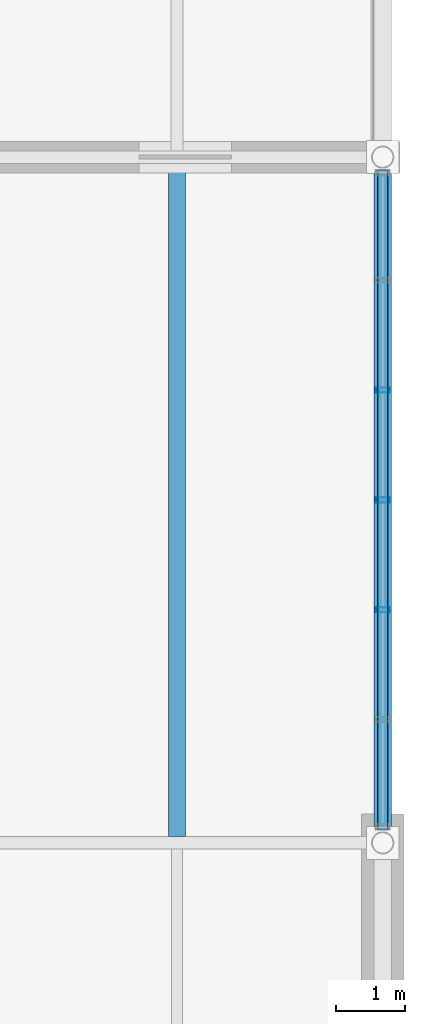
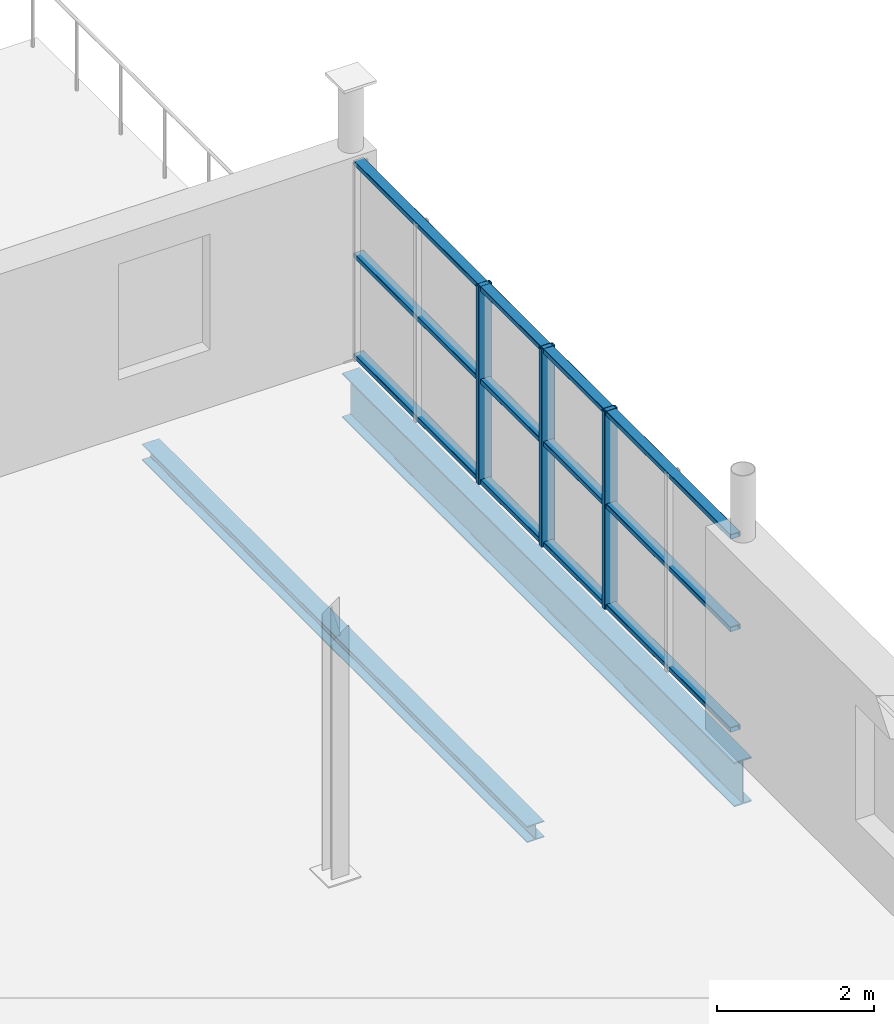
# One storey, part 19 of 30: 6 members, 2 beams, 1 element without a shape of its own.
"""IFC4 building model written with IfcOpenShell, lengths in metres."""

from ifc_helpers import new_model, si_unit, direction, frame, origin, origin_2d, place, context, subcontext, project, spatial, hollow_rectangle, i_section, extrude, material, material_profile, profile_set, type_object, element, aggregate, save


model = new_model("IFC4")

# Units and contexts
model_context = context("Model", 3, precision=1e-05, world=origin(), true_north=direction((0.0, 1.0)))
body_context = subcontext(model_context, "Body", "Model", "MODEL_VIEW")
ifc_project = project(units=[si_unit("LENGTHUNIT", "METRE"), si_unit("AREAUNIT", "SQUARE_METRE"), si_unit("VOLUMEUNIT", "CUBIC_METRE"), si_unit("PLANEANGLEUNIT", "RADIAN"), si_unit("MASSUNIT", "GRAM", prefix="KILO")], contexts=[model_context])

# Site, building, storey
site_placement = place(None, origin())
site = spatial("IfcSite", under=ifc_project, at=site_placement, CompositionType="ELEMENT")
building_placement = place(site_placement, origin())
building = spatial("IfcBuilding", under=site, at=building_placement, Name="Verrall Gate Interchange", CompositionType="ELEMENT")
storey_placement = place(building_placement, frame((0.0, 0.0, 19.39990234375)))
storey = spatial("IfcBuildingStorey", under=building, at=storey_placement, Name="L05", CompositionType="ELEMENT", Elevation=19.39990234375)

# Beam
ifc_material_1 = material(Name="Structural Steel CSA G40.21 350WT Cat 4", Category="steel")
ifc_material_profile_1 = material_profile(ifc_material_1, i_section(OverallWidth=0.256103515625, OverallDepth=0.693115234375, WebThickness=0.01318359375, FlangeThickness=0.02001953125, FilletRadius=0.01611328125, at=origin_2d()), Name="W690x170")
ifc_profile_set_1 = profile_set([ifc_material_profile_1], Name="Structural Steel CSA G40.21 350WT Cat 4")
beam_type_1 = type_object("IfcBeamType", Name="B-07 Structural Beam W690x170", PredefinedType="BEAM", material=ifc_profile_set_1)
beam_1_placement = place(storey_placement, frame((36.0, 56.0, -0.676513671875), z_axis=(0.0, 1.0, 0.0), x_axis=(-1.0, 0.0, 0.0)))
element("IfcBeam", 1, at=beam_1_placement, inside=storey, type_object=beam_type_1, Name="L05 Girder BM-L05-3002 (B-07)", PredefinedType="BEAM", context=body_context, shape_type="SweptSolid", body=[
    extrude(i_section(OverallWidth=0.256103515625, OverallDepth=0.693115234375, WebThickness=0.01318359375, FlangeThickness=0.02001953125, FilletRadius=0.01611328125, at=origin_2d()), origin(), (0.0, 0.0, 1.0), 10.0),
])

# Curtain wall, members
ifc_material_2 = material(Name="Thermally Broken Anodized Aluminium Curtain Wall Framing", Category="aluminium")
curtain_wall_type = type_object("IfcCurtainWallType", Name="CW-44 Unitized Curtain Wall 9612x3080", PredefinedType="NOTDEFINED", material=ifc_material_2)
curtain_wall_placement = place(storey_placement, origin())
curtain_wall = element("IfcCurtainWall", 2, at=curtain_wall_placement, inside=storey, type_object=curtain_wall_type, Name="L05 Unitized Curtain Wall CW-L05-137", PredefinedType="NOTDEFINED")
ifc_material_3 = material(Name="Thermally Broken Anodized Aluminium Curtain Wall Framing", Category="aluminium")
ifc_material_profile_2 = material_profile(ifc_material_3, hollow_rectangle(XDim=0.074951171875, YDim=0.199951171875, WallThickness=0.0048828125, InnerFilletRadius=0.0048828125, OuterFilletRadius=0.010009765625, at=origin_2d()), Name="CWM200x75x5")
ifc_profile_set_2 = profile_set([ifc_material_profile_2], Name="Thermally Broken Anodized Aluminium Curtain Wall Framing")
member_type_1 = type_object("IfcMemberType", Name="CM-02 Curtain Mullion CWM200x75x5", PredefinedType="MULLION", material=ifc_profile_set_2)
member_1_placement = place(storey_placement, frame((36.0, 59.39794921875, 0.0), z_axis=(0.0, 0.0, 1.0), x_axis=(0.0, 1.0, 0.0)))
member_1 = element("IfcMember", 3, at=member_1_placement, type_object=member_type_1, Name="CW-L05-137 Mullion 3", PredefinedType="MULLION", context=body_context, shape_type="SweptSolid", body=[
    extrude(hollow_rectangle(XDim=0.074951171875, YDim=0.199951171875, WallThickness=0.0048828125, InnerFilletRadius=0.0048828125, OuterFilletRadius=0.010009765625, at=origin_2d()), origin(), (0.0, 0.0, 1.0), 3.080078125),
])
member_2_placement = place(storey_placement, frame((36.0, 61.0, 0.0), z_axis=(0.0, 0.0, 1.0), x_axis=(0.0, 1.0, 0.0)))
member_2 = element("IfcMember", 4, at=member_2_placement, type_object=member_type_1, Name="CW-L05-137 Mullion 4", PredefinedType="MULLION", context=body_context, shape_type="SweptSolid", body=[
    extrude(hollow_rectangle(XDim=0.074951171875, YDim=0.199951171875, WallThickness=0.0048828125, InnerFilletRadius=0.0048828125, OuterFilletRadius=0.010009765625, at=origin_2d()), origin(), (0.0, 0.0, 1.0), 3.080078125),
])
member_3_placement = place(storey_placement, frame((36.0, 62.60205078125, 0.0), z_axis=(0.0, 0.0, 1.0), x_axis=(0.0, 1.0, 0.0)))
member_3 = element("IfcMember", 5, at=member_3_placement, type_object=member_type_1, Name="CW-L05-137 Mullion 5", PredefinedType="MULLION", context=body_context, shape_type="SweptSolid", body=[
    extrude(hollow_rectangle(XDim=0.074951171875, YDim=0.199951171875, WallThickness=0.0048828125, InnerFilletRadius=0.0048828125, OuterFilletRadius=0.010009765625, at=origin_2d()), origin(), (0.0, 0.0, 1.0), 3.080078125),
])
ifc_material_4 = material(Name="Thermally Broken Anodized Aluminium Curtain Wall Framing", Category="aluminium")
ifc_material_profile_3 = material_profile(ifc_material_4, hollow_rectangle(XDim=0.14990234375, YDim=0.074951171875, WallThickness=0.00439453125, InnerFilletRadius=0.00439453125, OuterFilletRadius=0.009033203125, at=origin_2d()), Name="CWT150x75x4.5")
ifc_profile_set_3 = profile_set([ifc_material_profile_3], Name="Thermally Broken Anodized Aluminium Curtain Wall Framing")
member_type_2 = type_object("IfcMemberType", Name="CT-02 Curtain Transom CWT150x75x4.5", PredefinedType="USERDEFINED", material=ifc_profile_set_3)
member_4_placement = place(storey_placement, frame((36.0, 56.19384765625, 0.03759765625), z_axis=(0.0, 1.0, 0.0), x_axis=(-1.0, 0.0, 0.0)))
member_4 = element("IfcMember", 6, at=member_4_placement, type_object=member_type_2, Name="CW-L05-137 Transom 1", ObjectType="TRANSOM", PredefinedType="USERDEFINED", context=body_context, shape_type="SweptSolid", body=[
    extrude(hollow_rectangle(XDim=0.14990234375, YDim=0.074951171875, WallThickness=0.00439453125, InnerFilletRadius=0.00439453125, OuterFilletRadius=0.009033203125, at=origin_2d()), origin(), (0.0, 0.0, 1.0), 9.612060546875),
])
member_5_placement = place(storey_placement, frame((36.0, 56.19384765625, 1.601806640625), z_axis=(0.0, 1.0, 0.0), x_axis=(-1.0, 0.0, 0.0)))
member_5 = element("IfcMember", 7, at=member_5_placement, type_object=member_type_2, Name="CW-L05-137 Transom 2", ObjectType="TRANSOM", PredefinedType="USERDEFINED", context=body_context, shape_type="SweptSolid", body=[
    extrude(hollow_rectangle(XDim=0.14990234375, YDim=0.074951171875, WallThickness=0.00439453125, InnerFilletRadius=0.00439453125, OuterFilletRadius=0.009033203125, at=origin_2d()), origin(), (0.0, 0.0, 1.0), 9.612060546875),
])
member_6_placement = place(storey_placement, frame((36.0, 56.19384765625, 3.04248046875), z_axis=(0.0, 1.0, 0.0), x_axis=(-1.0, 0.0, 0.0)))
member_6 = element("IfcMember", 8, at=member_6_placement, type_object=member_type_2, Name="CW-L05-137 Transom 3", ObjectType="TRANSOM", PredefinedType="USERDEFINED", context=body_context, shape_type="SweptSolid", body=[
    extrude(hollow_rectangle(XDim=0.14990234375, YDim=0.074951171875, WallThickness=0.00439453125, InnerFilletRadius=0.00439453125, OuterFilletRadius=0.009033203125, at=origin_2d()), origin(), (0.0, 0.0, 1.0), 9.612060546875),
])
aggregate(curtain_wall, [member_1, member_2, member_3, member_4, member_5, member_6])

# Beam
ifc_material_5 = material(Name="Structural Steel CSA G40.21 350W", Category="steel")
ifc_material_profile_4 = material_profile(ifc_material_5, i_section(OverallWidth=0.25390625, OverallDepth=0.2529296875, WebThickness=0.008544921875, FlangeThickness=0.01416015625, FilletRadius=0.011962890625, at=origin_2d()), Name="W250x73")
ifc_profile_set_4 = profile_set([ifc_material_profile_4], Name="Structural Steel CSA G40.21 350W")
beam_type_2 = type_object("IfcBeamType", Name="J-05 Floor Joist W250x73", PredefinedType="JOIST", material=ifc_profile_set_4)
beam_2_placement = place(storey_placement, frame((33.0, 56.089599609375, -0.456298828125), z_axis=(0.0, 1.0, 0.0), x_axis=(-1.0, 0.0, 0.0)))
element("IfcBeam", 9, at=beam_2_placement, inside=storey, type_object=beam_type_2, Name="L05 Secondary Floor Joist JST-L05-3046", PredefinedType="JOIST", context=body_context, shape_type="SweptSolid", body=[
    extrude(i_section(OverallWidth=0.25390625, OverallDepth=0.2529296875, WebThickness=0.008544921875, FlangeThickness=0.01416015625, FilletRadius=0.011962890625, at=origin_2d()), origin(), (0.0, 0.0, 1.0), 9.82080078125),
])

save(model, "model.ifc")
